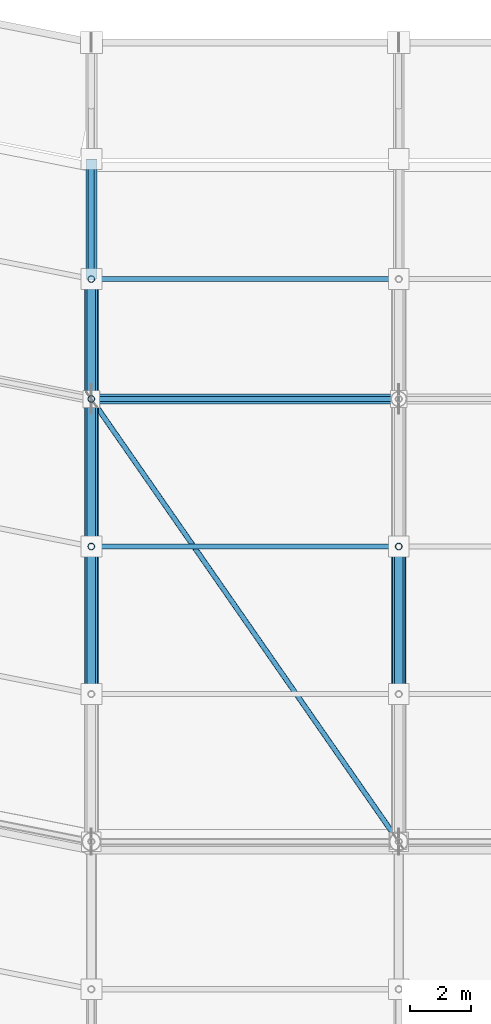
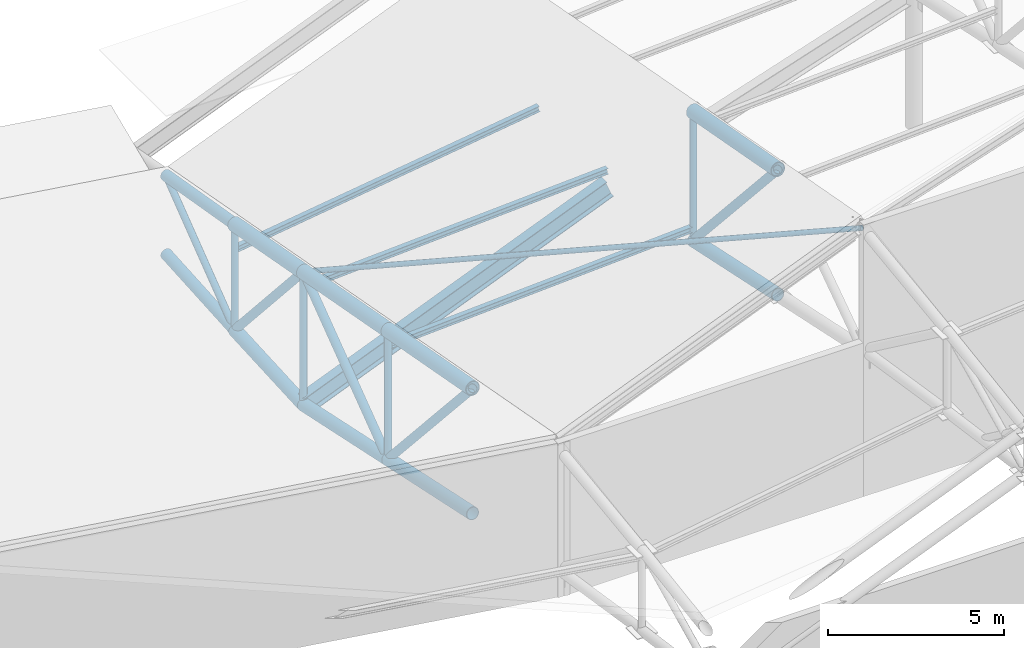
# One storey, part 30 of 146: 23 members, 1 beam.
"""IFC4 building model written with IfcOpenShell, lengths in metres."""

from ifc_helpers import new_model, si_unit, direction, frame, origin, origin_2d, place, context, subcontext, project, spatial, hollow_circle, i_section, extrude, material, material_profile, profile_set, type_object, element, save


model = new_model("IFC4")

# Units and contexts
model_context = context("Model", 3, precision=1e-05, world=origin(), true_north=direction((0.0, 1.0)))
body_context = subcontext(model_context, "Body", "Model", "MODEL_VIEW")
ifc_project = project(units=[si_unit("LENGTHUNIT", "METRE"), si_unit("AREAUNIT", "SQUARE_METRE"), si_unit("VOLUMEUNIT", "CUBIC_METRE"), si_unit("PLANEANGLEUNIT", "RADIAN"), si_unit("MASSUNIT", "GRAM", prefix="KILO")], contexts=[model_context])

# Site, building, storey
site_placement = place(None, origin())
site = spatial("IfcSite", under=ifc_project, at=site_placement, CompositionType="ELEMENT")
building_placement = place(site_placement, origin())
building = spatial("IfcBuilding", under=site, at=building_placement, Name="Candeia Ridge Stadium", CompositionType="ELEMENT")
storey_placement = place(building_placement, frame((0.0, 0.0, 31.800048828125)))
storey = spatial("IfcBuildingStorey", under=building, at=storey_placement, Name="RF", CompositionType="ELEMENT", Elevation=31.800048828125)

# Beam
ifc_material = material(Name="Steel ASTM A572 Grade 50", Category="steel")
ifc_material_profile_1 = material_profile(ifc_material, i_section(OverallWidth=0.324951171875, OverallDepth=0.615966796875, WebThickness=0.013916015625, FlangeThickness=0.021484375, FilletRadius=0.014892578125, at=origin_2d()), Name="W610x174", Category="steel")
ifc_profile_set_1 = profile_set([ifc_material_profile_1], Name="Steel ASTM A572 Grade 50")
beam_type = type_object("IfcBeamType", Name="Roof Compression Ring Beam W610x174", PredefinedType="BEAM", material=ifc_profile_set_1)
beam_placement = place(storey_placement, frame((71.037109375, 33.39990234375, -2.64892578125), z_axis=(0.925945510704, 0.0, 0.377657134457), x_axis=(0.0, 1.0, 0.0)))
element("IfcBeam", 1, at=beam_placement, inside=storey, type_object=beam_type, Name="Roof compression ring beam bay 19", PredefinedType="BEAM", context=body_context, shape_type="SweptSolid", body=[
    extrude(i_section(OverallWidth=0.324951171875, OverallDepth=0.615966796875, WebThickness=0.013916015625, FlangeThickness=0.021484375, FilletRadius=0.014892578125, at=origin_2d()), origin(), (0.0, 0.0, 1.0), 10.7197265625),
])

# Members
ifc_material_profile_2 = material_profile(ifc_material, hollow_circle(Radius=0.084228515625, WallThickness=0.008056640625, at=origin_2d()), Name="CHS168x8", Category="steel")
ifc_profile_set_2 = profile_set([ifc_material_profile_2], Name="Steel ASTM A572 Grade 50")
member_type_1 = type_object("IfcMemberType", Name="Roof Plan Wind Brace CHS168x8", PredefinedType="BRACE", material=ifc_profile_set_2)
member_1_placement = place(storey_placement, frame((71.0107421875, 33.384765625, 1.943115234375), z_axis=(0.532371421064, -0.766632039772, 0.358965159354), x_axis=(0.821375958989, 0.570387179024, 0.0)))
element("IfcMember", 2, at=member_1_placement, inside=storey, type_object=member_type_1, Name="Roof plane wind brace bay 19", PredefinedType="BRACE", context=body_context, shape_type="SweptSolid", body=[
    extrude(hollow_circle(Radius=0.084228515625, WallThickness=0.008056640625, at=origin_2d()), origin(), (0.0, 0.0, 1.0), 18.743408203125),
])
ifc_material_profile_3 = material_profile(ifc_material, i_section(OverallWidth=0.1650390625, OverallDepth=0.200927734375, WebThickness=0.006103515625, FlangeThickness=0.01025390625, FilletRadius=0.010009765625, at=origin_2d()), Name="W200x35.9", Category="steel")
ifc_profile_set_3 = profile_set([ifc_material_profile_3], Name="Steel ASTM A572 Grade 50")
member_type_2 = type_object("IfcMemberType", Name="Roof Purlin W200x35.9", PredefinedType="PURLIN", material=ifc_profile_set_3)
member_2_placement = place(storey_placement, frame((71.049560546875, 37.300048828125, 0.361572265625), z_axis=(0.990070222355, 0.0, 0.140573663272), x_axis=(0.0, 1.0, 0.0)))
element("IfcMember", 3, at=member_2_placement, inside=storey, type_object=member_type_2, Name="Saddle roof steel purlin bay 19-1", PredefinedType="PURLIN", context=body_context, shape_type="SweptSolid", body=[
    extrude(i_section(OverallWidth=0.1650390625, OverallDepth=0.200927734375, WebThickness=0.006103515625, FlangeThickness=0.01025390625, FilletRadius=0.010009765625, at=origin_2d()), origin(), (0.0, 0.0, 1.0), 10.000244140625),
])
for number, where, z_axis, x_axis, name in (
    (4, (71.0498046875, 33.39990234375, 1.418701171875), (0.998435557369, 0.0, 0.055914557871), (0.0, 1.0, 0.0), "Saddle roof steel purlin bay 19-2"),
    (5, (71.0498046875, 28.60009765625, 2.306640625), (0.998435557369, 0.0, 0.055914557871), (0.0, 1.0, 0.0), "Saddle roof steel purlin bay 19-3"),
):
    element("IfcMember", number, at=place(storey_placement, frame(where, z_axis=z_axis, x_axis=x_axis)), inside=storey, type_object=member_type_2, Name=name, PredefinedType="PURLIN", context=body_context, shape_type="SweptSolid", body=[
        extrude(i_section(OverallWidth=0.1650390625, OverallDepth=0.200927734375, WebThickness=0.006103515625, FlangeThickness=0.01025390625, FilletRadius=0.010009765625, at=origin_2d()), origin(), (0.0, 0.0, 1.0), 9.916015625),
    ])
ifc_material_profile_4 = material_profile(ifc_material, hollow_circle(Radius=0.136474609375, WallThickness=0.010009765625, at=origin_2d()), Name="CHS273x10", Category="steel")
ifc_profile_set_4 = profile_set([ifc_material_profile_4], Name="Steel ASTM A572 Grade 50")
member_type_3 = type_object("IfcMemberType", Name="Roof Truss Heavy Web Brace CHS273x10", PredefinedType="BRACE", material=ifc_profile_set_4)
member_3_placement = place(storey_placement, frame((71.0, 37.300048828125, -2.444091796875), z_axis=(0.0, -0.665001791652, 0.746841761754), x_axis=(1.0, 0.0, 0.0)))
element("IfcMember", 6, at=member_3_placement, inside=storey, type_object=member_type_3, Name="Roof cantilever truss RT-19 diagonal web 3", PredefinedType="BRACE", context=body_context, shape_type="SweptSolid", body=[
    extrude(hollow_circle(Radius=0.136474609375, WallThickness=0.010009765625, at=origin_2d()), origin(), (0.0, 0.0, 1.0), 5.86474609375),
])
member_4_placement = place(storey_placement, frame((71.0, 33.39990234375, 1.93603515625), z_axis=(0.0, -0.801680135344, -0.597753260631), x_axis=(1.0, 0.0, 0.0)))
element("IfcMember", 7, at=member_4_placement, inside=storey, type_object=member_type_3, Name="Roof cantilever truss RT-19 diagonal web 4", PredefinedType="BRACE", context=body_context, shape_type="SweptSolid", body=[
    extrude(hollow_circle(Radius=0.136474609375, WallThickness=0.010009765625, at=origin_2d()), origin(), (0.0, 0.0, 1.0), 5.987060546875),
])
for number, where, z_axis, x_axis, name in (
    (8, (71.0, 28.60009765625, -1.642822265625), (0.0, -0.667487252066, 0.744621224737), (1.0, 0.0, 0.0), "Roof cantilever truss RT-19 diagonal web 5"),
    (9, (81.0, 28.60009765625, 2.435791015625), (0.0, -0.667487252066, 0.744621224737), (1.0, 0.0, 0.0), "Roof cantilever truss RT-20 diagonal web 5"),
):
    element("IfcMember", number, at=place(storey_placement, frame(where, z_axis=z_axis, x_axis=x_axis)), inside=storey, type_object=member_type_3, Name=name, PredefinedType="BRACE", context=body_context, shape_type="SweptSolid", body=[
        extrude(hollow_circle(Radius=0.136474609375, WallThickness=0.010009765625, at=origin_2d()), origin(), (0.0, 0.0, 1.0), 7.191162109375),
    ])
ifc_material_profile_5 = material_profile(ifc_material, hollow_circle(Radius=0.109619140625, WallThickness=0.010009765625, at=origin_2d()), Name="CHS219x10", Category="steel")
ifc_profile_set_5 = profile_set([ifc_material_profile_5], Name="Steel ASTM A572 Grade 50")
member_type_4 = type_object("IfcMemberType", Name="Roof Truss Inner Web Brace CHS219x10", PredefinedType="BRACE", material=ifc_profile_set_5)
member_5_placement = place(storey_placement, frame((71.0, 41.199951171875, 0.54296875), z_axis=(0.0, -0.793887844601, -0.608064215519), x_axis=(1.0, 0.0, 0.0)))
element("IfcMember", 10, at=member_5_placement, inside=storey, type_object=member_type_4, Name="Roof cantilever truss RT-19 diagonal web 2", PredefinedType="BRACE", context=body_context, shape_type="SweptSolid", body=[
    extrude(hollow_circle(Radius=0.109619140625, WallThickness=0.010009765625, at=origin_2d()), origin(), (0.0, 0.0, 1.0), 4.912353515625),
])
member_6_placement = place(storey_placement, frame((71.0, 37.300048828125, -2.444091796875), z_axis=(0.0, 0.0, 1.0), x_axis=(1.0, 0.0, 0.0)))
element("IfcMember", 11, at=member_6_placement, inside=storey, type_object=member_type_4, Name="Roof cantilever truss RT-19 vertical post 2", PredefinedType="BRACE", context=body_context, shape_type="SweptSolid", body=[
    extrude(hollow_circle(Radius=0.109619140625, WallThickness=0.010009765625, at=origin_2d()), origin(), (0.0, 0.0, 1.0), 3.658447265625),
])
member_7_placement = place(storey_placement, frame((71.0, 33.39990234375, -2.6640625), z_axis=(0.0, 0.0, 1.0), x_axis=(1.0, 0.0, 0.0)))
element("IfcMember", 12, at=member_7_placement, inside=storey, type_object=member_type_4, Name="Roof cantilever truss RT-19 vertical post 3", PredefinedType="BRACE", context=body_context, shape_type="SweptSolid", body=[
    extrude(hollow_circle(Radius=0.109619140625, WallThickness=0.010009765625, at=origin_2d()), origin(), (0.0, 0.0, 1.0), 4.60009765625),
])
member_8_placement = place(storey_placement, frame((71.0, 28.60009765625, -1.642822265625), z_axis=(0.0, 0.0, 1.0), x_axis=(1.0, 0.0, 0.0)))
element("IfcMember", 13, at=member_8_placement, inside=storey, type_object=member_type_4, Name="Roof cantilever truss RT-19 vertical post 4", PredefinedType="BRACE", context=body_context, shape_type="SweptSolid", body=[
    extrude(hollow_circle(Radius=0.109619140625, WallThickness=0.010009765625, at=origin_2d()), origin(), (0.0, 0.0, 1.0), 4.466796875),
])
member_9_placement = place(storey_placement, frame((81.0, 28.60009765625, 2.435791015625), z_axis=(0.0, 0.0, 1.0), x_axis=(1.0, 0.0, 0.0)))
element("IfcMember", 14, at=member_9_placement, inside=storey, type_object=member_type_4, Name="Roof cantilever truss RT-20 vertical post 4", PredefinedType="BRACE", context=body_context, shape_type="SweptSolid", body=[
    extrude(hollow_circle(Radius=0.109619140625, WallThickness=0.010009765625, at=origin_2d()), origin(), (0.0, 0.0, 1.0), 4.466552734375),
])
ifc_material_profile_6 = material_profile(ifc_material, hollow_circle(Radius=0.228515625, WallThickness=0.02001953125, at=origin_2d()), Name="CHS457x20", Category="steel")
ifc_profile_set_6 = profile_set([ifc_material_profile_6], Name="Steel ASTM A572 Grade 50")
member_type_5 = type_object("IfcMemberType", Name="Roof Truss Main Chord CHS457x20", PredefinedType="CHORD", material=ifc_profile_set_6)
member_10_placement = place(storey_placement, frame((71.0, 37.300048828125, 1.21435546875), z_axis=(0.0, -0.983307710254, 0.181950396965), x_axis=(1.0, 0.0, 0.0)))
element("IfcMember", 15, at=member_10_placement, inside=storey, type_object=member_type_5, Name="Roof cantilever truss RT-19 top chord 3", PredefinedType="CHORD", context=body_context, shape_type="SweptSolid", body=[
    extrude(hollow_circle(Radius=0.228515625, WallThickness=0.02001953125, at=origin_2d()), origin(), (0.0, 0.0, 1.0), 3.96630859375),
])
member_11_placement = place(storey_placement, frame((71.0, 33.39990234375, 1.93603515625), z_axis=(0.0, -0.983315487156, 0.181908363519), x_axis=(1.0, 0.0, 0.0)))
element("IfcMember", 16, at=member_11_placement, inside=storey, type_object=member_type_5, Name="Roof cantilever truss RT-19 top chord 4", PredefinedType="CHORD", context=body_context, shape_type="SweptSolid", body=[
    extrude(hollow_circle(Radius=0.228515625, WallThickness=0.02001953125, at=origin_2d()), origin(), (0.0, 0.0, 1.0), 4.88134765625),
])
for number, where, z_axis, x_axis, name in (
    (17, (71.0, 28.60009765625, 2.823974609375), (0.0, -0.983317142098, 0.181899417416), (1.0, 0.0, 0.0), "Roof cantilever truss RT-19 top chord 5"),
    (18, (81.0, 28.60009765625, 6.90234375), (0.0, -0.983308195319, 0.181947775524), (1.0, 0.0, 0.0), "Roof cantilever truss RT-20 top chord 5"),
):
    element("IfcMember", number, at=place(storey_placement, frame(where, z_axis=z_axis, x_axis=x_axis)), inside=storey, type_object=member_type_5, Name=name, PredefinedType="CHORD", context=body_context, shape_type="SweptSolid", body=[
        extrude(hollow_circle(Radius=0.228515625, WallThickness=0.02001953125, at=origin_2d()), origin(), (0.0, 0.0, 1.0), 4.881591796875),
    ])
ifc_material_profile_7 = material_profile(ifc_material, hollow_circle(Radius=0.202880859375, WallThickness=0.01611328125, at=origin_2d()), Name="CHS406x16", Category="steel")
ifc_profile_set_7 = profile_set([ifc_material_profile_7], Name="Steel ASTM A572 Grade 50")
member_type_6 = type_object("IfcMemberType", Name="Roof Truss Outer Chord CHS406x16", PredefinedType="CHORD", material=ifc_profile_set_7)
member_12_placement = place(storey_placement, frame((71.0, 37.300048828125, -2.444091796875), z_axis=(0.0, -0.998413269272, -0.056311133372), x_axis=(1.0, 0.0, 0.0)))
element("IfcMember", 19, at=member_12_placement, inside=storey, type_object=member_type_6, Name="Roof cantilever truss RT-19 bottom chord 3", PredefinedType="CHORD", context=body_context, shape_type="SweptSolid", body=[
    extrude(hollow_circle(Radius=0.202880859375, WallThickness=0.01611328125, at=origin_2d()), origin(), (0.0, 0.0, 1.0), 3.90625),
])
member_13_placement = place(storey_placement, frame((71.0, 33.39990234375, -2.6640625), z_axis=(0.0, -0.978105713519, 0.208108657154), x_axis=(1.0, 0.0, 0.0)))
element("IfcMember", 20, at=member_13_placement, inside=storey, type_object=member_type_6, Name="Roof cantilever truss RT-19 bottom chord 4", PredefinedType="CHORD", context=body_context, shape_type="SweptSolid", body=[
    extrude(hollow_circle(Radius=0.202880859375, WallThickness=0.01611328125, at=origin_2d()), origin(), (0.0, 0.0, 1.0), 4.9072265625),
])
for number, where, z_axis, x_axis, name in (
    (21, (71.0, 28.60009765625, -1.642822265625), (0.0, -0.978097741011, 0.208146124225), (1.0, 0.0, 0.0), "Roof cantilever truss RT-19 bottom chord 5"),
    (22, (81.0, 28.60009765625, 2.435791015625), (0.0, -0.97810786804, 0.208098530696), (1.0, 0.0, 0.0), "Roof cantilever truss RT-20 bottom chord 5"),
):
    element("IfcMember", number, at=place(storey_placement, frame(where, z_axis=z_axis, x_axis=x_axis)), inside=storey, type_object=member_type_6, Name=name, PredefinedType="CHORD", context=body_context, shape_type="SweptSolid", body=[
        extrude(hollow_circle(Radius=0.202880859375, WallThickness=0.01611328125, at=origin_2d()), origin(), (0.0, 0.0, 1.0), 4.907470703125),
    ])
ifc_material_profile_8 = material_profile(ifc_material, hollow_circle(Radius=0.177734375, WallThickness=0.01416015625, at=origin_2d()), Name="CHS355x14", Category="steel")
ifc_profile_set_8 = profile_set([ifc_material_profile_8], Name="Steel ASTM A572 Grade 50")
member_type_7 = type_object("IfcMemberType", Name="Roof Truss Tip Chord CHS355x14", PredefinedType="CHORD", material=ifc_profile_set_8)
member_14_placement = place(storey_placement, frame((71.0, 41.199951171875, 0.54296875), z_axis=(0.0, -0.985502828795, 0.169658994565), x_axis=(1.0, 0.0, 0.0)))
element("IfcMember", 23, at=member_14_placement, inside=storey, type_object=member_type_7, Name="Roof cantilever truss RT-19 top chord 2", PredefinedType="CHORD", context=body_context, shape_type="SweptSolid", body=[
    extrude(hollow_circle(Radius=0.177734375, WallThickness=0.01416015625, at=origin_2d()), origin(), (0.0, 0.0, 1.0), 3.957275390625),
])
member_15_placement = place(storey_placement, frame((71.0, 41.199951171875, -2.17431640625), z_axis=(0.0, -0.997615968556, -0.069009994069), x_axis=(1.0, 0.0, 0.0)))
element("IfcMember", 24, at=member_15_placement, inside=storey, type_object=member_type_7, Name="Roof cantilever truss RT-19 bottom chord 2", PredefinedType="CHORD", context=body_context, shape_type="SweptSolid", body=[
    extrude(hollow_circle(Radius=0.177734375, WallThickness=0.01416015625, at=origin_2d()), origin(), (0.0, 0.0, 1.0), 3.9091796875),
])

save(model, "model.ifc")
